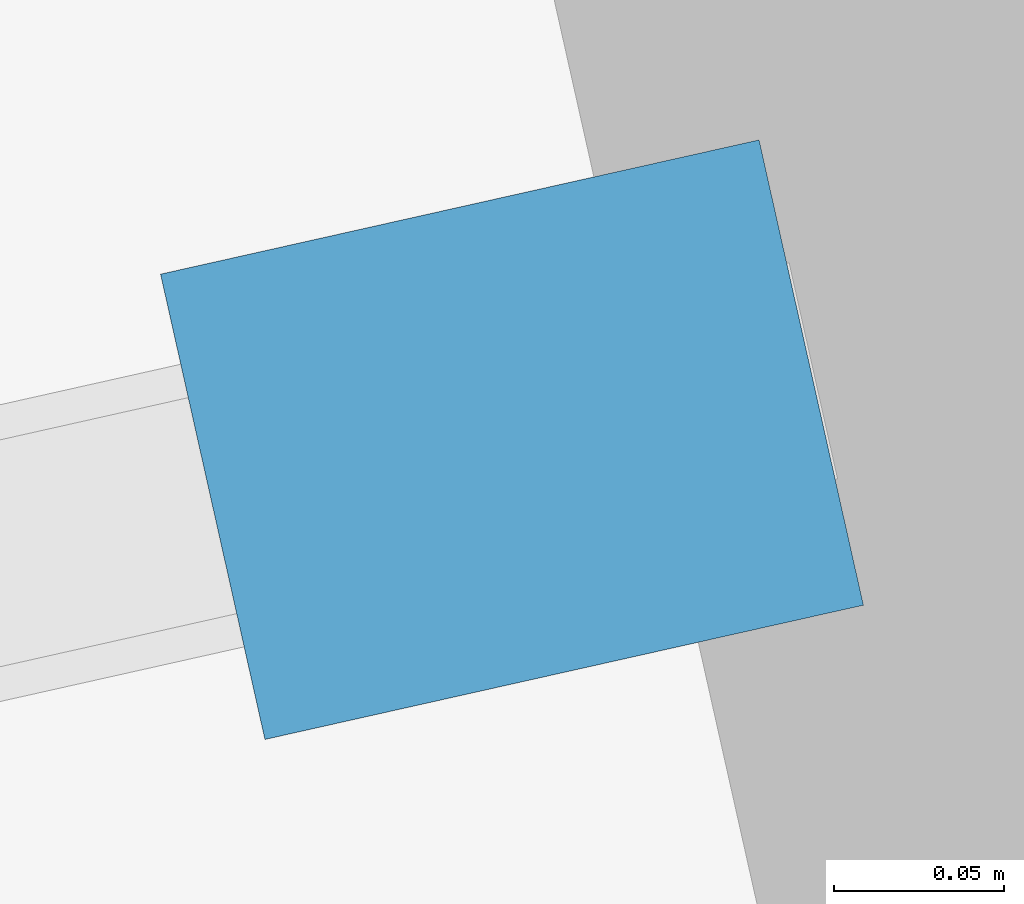
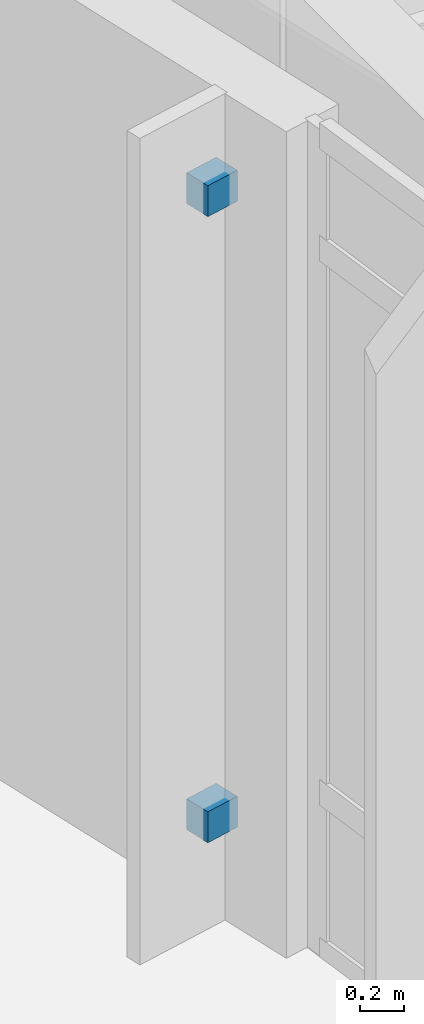
# One storey, part 98 of 120: 2 discrete accessories.
"""IFC4 building model written with IfcOpenShell, lengths in metres."""

from ifc_helpers import new_model, si_unit, direction, frame, origin, origin_2d, place, context, subcontext, project, spatial, rectangle, extrude, material, type_object, element, save


model = new_model("IFC4")

# Units and contexts
model_context = context("Model", 3, precision=1e-05, world=origin(), true_north=direction((0.0, 1.0)))
body_context = subcontext(model_context, "Body", "Model", "MODEL_VIEW")
ifc_project = project(units=[si_unit("LENGTHUNIT", "METRE"), si_unit("AREAUNIT", "SQUARE_METRE"), si_unit("VOLUMEUNIT", "CUBIC_METRE"), si_unit("PLANEANGLEUNIT", "RADIAN"), si_unit("MASSUNIT", "GRAM", prefix="KILO")], contexts=[model_context])

# Site, building, storey
site_placement = place(None, origin())
site = spatial("IfcSite", under=ifc_project, at=site_placement, CompositionType="ELEMENT")
building_placement = place(site_placement, origin())
building = spatial("IfcBuilding", under=site, at=building_placement, Name="Corveleigh Park Community Centre", CompositionType="ELEMENT")
storey_placement = place(building_placement, origin())
storey = spatial("IfcBuildingStorey", under=building, at=storey_placement, Name="L00", CompositionType="ELEMENT", Elevation=0.0)

# Discrete accessories
ifc_material = material(Name="Stainless steel 316 balustrade", Category="steel")
discrete_accessory_type = type_object("IfcDiscreteAccessoryType", Name="ACC-BRK-STL", PredefinedType="BRACKET", material=ifc_material)
for number, where, z_axis, x_axis, name in (
    (1, (128.903076171875, 65.610107421875, 0.5), (0.0, 0.0, 1.0), (-0.975753455878, -0.218872550452, 0.0), "Fin fixing bracket lower"),
    (2, (128.903076171875, 65.610107421875, 3.93701171875), (0.0, 0.0, 1.0), (-0.975753455878, -0.218872550452, 0.0), "Fin fixing bracket upper"),
):
    element("IfcDiscreteAccessory", number, at=place(storey_placement, frame(where, z_axis=z_axis, x_axis=x_axis)), inside=storey, type_object=discrete_accessory_type, Name=name, PredefinedType="BRACKET", context=body_context, shape_type="SweptSolid", body=[
        extrude(rectangle(XDim=0.179931640625, YDim=0.139892578125, at=origin_2d()), origin(), (0.0, 0.0, 1.0), 0.169921875),
    ])

save(model, "model.ifc")
